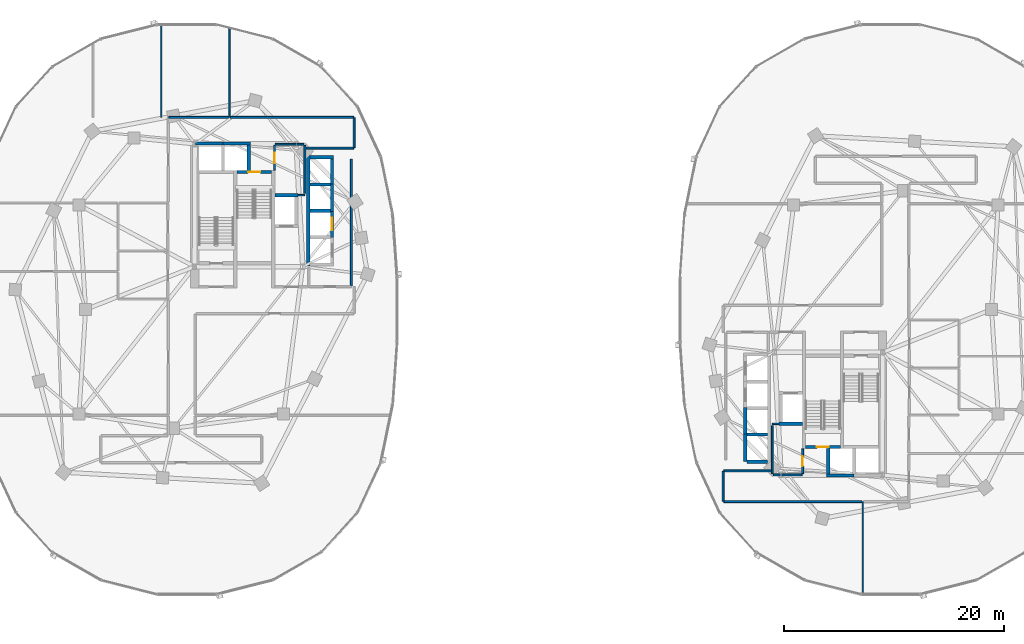
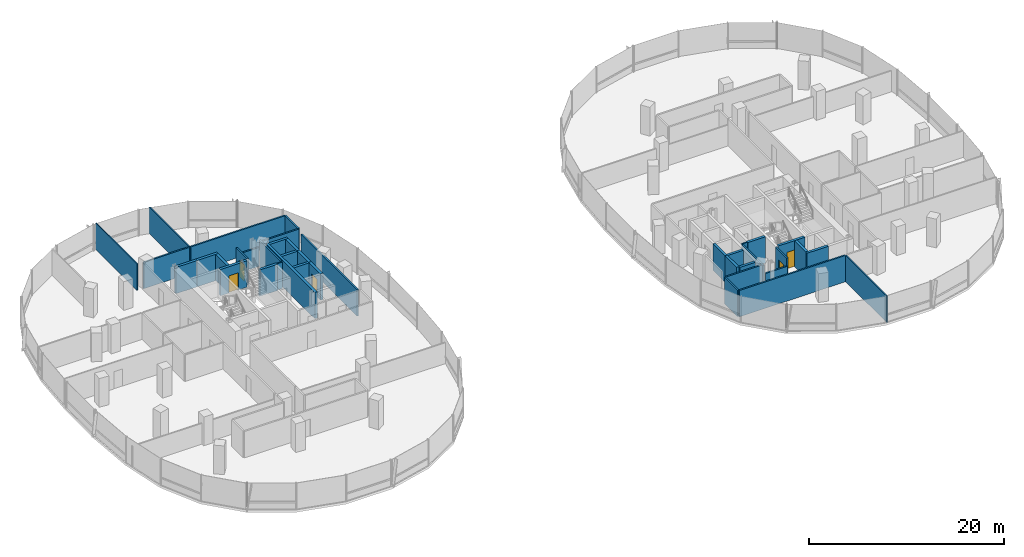
# One storey, part 12 of 21: 39 walls, 5 doors, 5 openings.
"""IFC4 building model written with IfcOpenShell, lengths in metres."""

from ifc_helpers import new_model, si_unit, direction, frame, frame_2d, origin, place, context, subcontext, project, spatial, rectangle, extrude, material, layer, layer_set, type_object, element, fill, save


model = new_model("IFC4")

# Units and contexts
model_context = context("Model", 3, precision=1e-05, world=origin(), true_north=direction((0.0, 1.0)))
body_context = subcontext(model_context, "Body", "Model", "MODEL_VIEW")
ifc_project = project(units=[si_unit("LENGTHUNIT", "METRE"), si_unit("AREAUNIT", "SQUARE_METRE"), si_unit("VOLUMEUNIT", "CUBIC_METRE"), si_unit("PLANEANGLEUNIT", "RADIAN"), si_unit("MASSUNIT", "GRAM", prefix="KILO"), si_unit("THERMODYNAMICTEMPERATUREUNIT", "KELVIN"), si_unit("POWERUNIT", "WATT")], contexts=[model_context])

# Site, building, storey
site_placement = place(None, origin())
site = spatial("IfcSite", under=ifc_project, at=site_placement, CompositionType="ELEMENT")
building_placement = place(site_placement, origin())
building = spatial("IfcBuilding", under=site, at=building_placement, Name="Cundina Bronze Exchange", CompositionType="ELEMENT")
storey_placement = place(building_placement, frame((0.0, 0.0, 99.800048828125)))
storey = spatial("IfcBuildingStorey", under=building, at=storey_placement, Name="L25", CompositionType="ELEMENT", Elevation=99.800048828125)

# Walls
ifc_material_1 = material(Name="Gypsum Fireboard Partition EI120")
ifc_layer_1 = layer(ifc_material_1, 0.179931640625, Name="Gypsum Fireboard Partition EI120")
ifc_layer_set_1 = layer_set([ifc_layer_1], Name="Gypsum Fireboard Partition EI120")
wall_type_1 = type_object("IfcWallType", Name="WL-COR-180", PredefinedType="PARTITIONING", material=ifc_layer_set_1)
wall_1_placement = place(storey_placement, frame((-17.02001953125, 2.169921875, 0.0), z_axis=(0.0, 0.0, 1.0), x_axis=(0.0, 1.0, 0.0)))
element("IfcWall", 1, at=wall_1_placement, inside=storey, type_object=wall_type_1, Name="L25 Interior Partition 001", PredefinedType="PARTITIONING", context=body_context, shape_type="SweptSolid", body=[
    extrude(rectangle(XDim=11.510009765625, YDim=0.179931640625, at=frame_2d((5.7548828125, 0.0))), origin(), (0.0, 0.0, 1.0), 3.300048828125),
])
wall_2_placement = place(storey_placement, frame((-21.25, 10.570068359375, 0.0), z_axis=(0.0, 0.0, 1.0), x_axis=(0.0, 1.0, 0.0)))
element("IfcWall", 2, at=wall_2_placement, inside=storey, type_object=wall_type_1, Name="L25 Interior Partition 004", PredefinedType="PARTITIONING", context=body_context, shape_type="SweptSolid", body=[
    extrude(rectangle(XDim=4.35986328125, YDim=0.179931640625, at=frame_2d((2.179931640625, 0.0))), origin(), (0.0, 0.0, 1.0), 3.300048828125),
])
wall_3_placement = place(storey_placement, frame((-23.9599609375, 15.030029296875, 0.0), z_axis=(0.0, 0.0, 1.0), x_axis=(1.0, 0.0, 0.0)))
element("IfcWall", 3, at=wall_3_placement, inside=storey, type_object=wall_type_1, Name="L25 Interior Partition 005", PredefinedType="PARTITIONING", context=body_context, shape_type="SweptSolid", body=[
    extrude(rectangle(XDim=2.60986328125, YDim=0.179931640625, at=frame_2d((1.304931640625, 0.0))), origin(), (0.0, 0.0, 1.0), 2.373046875),
])

# Wall, opening, door
wall_4_placement = place(storey_placement, frame((-24.02001953125, 12.669921875, 0.0), z_axis=(0.0, 0.0, 1.0), x_axis=(0.0, 1.0, 0.0)))
wall_4 = element("IfcWall", 4, at=wall_4_placement, inside=storey, type_object=wall_type_1, Name="L25 Interior Partition 006", PredefinedType="PARTITIONING", context=body_context, shape_type="SweptSolid", body=[
    extrude(rectangle(XDim=2.260009765625, YDim=0.179931640625, at=frame_2d((1.1298828125, 0.0))), origin(), (0.0, 0.0, 1.0), 3.300048828125),
])
opening_1_placement = place(wall_4_placement, frame((0.655029296875, 0.0, 0.0)))
opening_1 = element("IfcOpeningElement", 5, at=opening_1_placement, cuts=wall_4, Name="Opening DW-01", PredefinedType="OPENING", context=body_context, shape_type="SweptSolid", body=[
    extrude(rectangle(XDim=0.949951171875, YDim=2.10009765625, at=frame_2d((0.47509765625, 1.050048828125))), frame((0.0, 0.099853515625, 0.0), z_axis=(0.0, -1.0, 0.0), x_axis=(1.0, 0.0, 0.0)), (0.0, 0.0, 1.0), 0.199951171875),
])
ifc_material_2 = material(Name="Solid Andean Oak Timber Grade A", Category="wood")
door_type_1 = type_object("IfcDoorType", Name="DR-WC-950", OperationType="NOTDEFINED", PredefinedType="DOOR", material=ifc_material_2)
door_1_placement = place(opening_1_placement, origin())
door_1 = element("IfcDoor", 6, at=door_1_placement, inside=storey, type_object=door_type_1, Name="L25 Interior Door 006", OperationType="SINGLE_SWING_LEFT", OverallHeight=2.10009765625, OverallWidth=0.949951171875, PredefinedType="DOOR", context=body_context, shape_type="SweptSolid", body=[
    extrude(rectangle(XDim=0.949951171875, YDim=2.10009765625, at=frame_2d((0.47509765625, 1.050048828125))), frame((0.0, 0.02490234375, 0.0), z_axis=(0.0, -1.0, 0.0), x_axis=(1.0, 0.0, 0.0)), (0.0, 0.0, 1.0), 0.050048828125),
])
fill(opening_1, door_1)

# Walls
wall_5_placement = place(storey_placement, frame((-16.821533203125, 17.469970703125, 0.0), z_axis=(0.0, 0.0, 1.0), x_axis=(-1.0, 0.0, 0.0)))
element("IfcWall", 7, at=wall_5_placement, inside=storey, type_object=wall_type_1, Name="L25 Interior Partition 030", PredefinedType="PARTITIONING", context=body_context, shape_type="SweptSolid", body=[
    extrude(rectangle(XDim=11.20849609375, YDim=0.179931640625, at=frame_2d((5.604248046875, 0.0))), origin(), (0.0, 0.0, 1.0), 3.300048828125),
])
wall_6_placement = place(storey_placement, frame((-21.178466796875, 14.679931640625, 0.0), z_axis=(0.0, 0.0, 1.0), x_axis=(1.0, 0.0, 0.0)))
element("IfcWall", 8, at=wall_6_placement, inside=storey, type_object=wall_type_1, Name="L25 Interior Partition 032", PredefinedType="PARTITIONING", context=body_context, shape_type="SweptSolid", body=[
    extrude(rectangle(XDim=4.35693359375, YDim=0.179931640625, at=frame_2d((2.178466796875, 0.0))), origin(), (0.0, 0.0, 1.0), 3.300048828125),
])
wall_7_placement = place(storey_placement, frame((-16.780029296875, 14.721435546875, 0.0), z_axis=(0.0, 0.0, 1.0), x_axis=(0.0, 1.0, 0.0)))
element("IfcWall", 9, at=wall_7_placement, inside=storey, type_object=wall_type_1, Name="L25 Interior Partition 033", PredefinedType="PARTITIONING", context=body_context, shape_type="SweptSolid", body=[
    extrude(rectangle(XDim=2.70703125, YDim=0.179931640625, at=frame_2d((1.353515625, 0.0))), origin(), (0.0, 0.0, 1.0), 3.300048828125),
])
wall_8_placement = place(storey_placement, frame((-28.2099609375, 17.469970703125, 0.0), z_axis=(0.0, 0.0, 1.0), x_axis=(-1.0, 0.0, 0.0)))
element("IfcWall", 10, at=wall_8_placement, inside=storey, type_object=wall_type_1, Name="L25 Interior Partition 036", PredefinedType="PARTITIONING", context=body_context, shape_type="SweptSolid", body=[
    extrude(rectangle(XDim=5.41845703125, YDim=0.179931640625, at=frame_2d((2.709228515625, 0.0))), origin(), (0.0, 0.0, 1.0), 3.300048828125),
])
wall_9_placement = place(storey_placement, frame((21.25, -14.929931640625, 0.0), z_axis=(0.0, 0.0, 1.0), x_axis=(0.0, 1.0, 0.0)))
element("IfcWall", 11, at=wall_9_placement, inside=storey, type_object=wall_type_1, Name="L25 Interior Partition 041", PredefinedType="PARTITIONING", context=body_context, shape_type="SweptSolid", body=[
    extrude(rectangle(XDim=4.35986328125, YDim=0.179931640625, at=frame_2d((2.179931640625, 0.0))), origin(), (0.0, 0.0, 1.0), 3.300048828125),
])
wall_10_placement = place(storey_placement, frame((21.35009765625, -15.030029296875, 0.0), z_axis=(0.0, 0.0, 1.0), x_axis=(1.0, 0.0, 0.0)))
element("IfcWall", 12, at=wall_10_placement, inside=storey, type_object=wall_type_1, Name="L25 Interior Partition 042", PredefinedType="PARTITIONING", context=body_context, shape_type="SweptSolid", body=[
    extrude(rectangle(XDim=2.60986328125, YDim=0.179931640625, at=frame_2d((1.304931640625, 0.0))), origin(), (0.0, 0.0, 1.0), 2.373046875),
])

# Wall, opening, door
wall_11_placement = place(storey_placement, frame((24.02001953125, -14.929931640625, 0.0), z_axis=(0.0, 0.0, 1.0), x_axis=(0.0, 1.0, 0.0)))
wall_11 = element("IfcWall", 13, at=wall_11_placement, inside=storey, type_object=wall_type_1, Name="L25 Interior Partition 043", PredefinedType="PARTITIONING", context=body_context, shape_type="SweptSolid", body=[
    extrude(rectangle(XDim=2.260009765625, YDim=0.179931640625, at=frame_2d((1.1298828125, 0.0))), origin(), (0.0, 0.0, 1.0), 3.300048828125),
])
opening_2_placement = place(wall_11_placement, frame((0.655029296875, 0.0, 0.0)))
opening_2 = element("IfcOpeningElement", 14, at=opening_2_placement, cuts=wall_11, Name="Opening DW-01", PredefinedType="OPENING", context=body_context, shape_type="SweptSolid", body=[
    extrude(rectangle(XDim=0.949951171875, YDim=2.10009765625, at=frame_2d((0.47509765625, 1.050048828125))), frame((0.0, 0.099853515625, 0.0), z_axis=(0.0, -1.0, 0.0), x_axis=(1.0, 0.0, 0.0)), (0.0, 0.0, 1.0), 0.199951171875),
])
door_2_placement = place(opening_2_placement, origin())
door_2 = element("IfcDoor", 15, at=door_2_placement, inside=storey, type_object=door_type_1, Name="L25 Interior Door 043", OperationType="SINGLE_SWING_RIGHT", OverallHeight=2.10009765625, OverallWidth=0.949951171875, PredefinedType="DOOR", context=body_context, shape_type="SweptSolid", body=[
    extrude(rectangle(XDim=0.949951171875, YDim=2.10009765625, at=frame_2d((0.47509765625, 1.050048828125))), frame((0.0, 0.02490234375, 0.0), z_axis=(0.0, -1.0, 0.0), x_axis=(1.0, 0.0, 0.0)), (0.0, 0.0, 1.0), 0.050048828125),
])
fill(opening_2, door_2)

# Walls
wall_12_placement = place(storey_placement, frame((16.821533203125, -17.469970703125, 0.0), z_axis=(0.0, 0.0, 1.0), x_axis=(1.0, 0.0, 0.0)))
element("IfcWall", 16, at=wall_12_placement, inside=storey, type_object=wall_type_1, Name="L25 Interior Partition 061", PredefinedType="PARTITIONING", context=body_context, shape_type="SweptSolid", body=[
    extrude(rectangle(XDim=12.568359375, YDim=0.179931640625, at=frame_2d((6.2841796875, 0.0))), origin(), (0.0, 0.0, 1.0), 3.300048828125),
])
wall_13_placement = place(storey_placement, frame((21.178466796875, -14.679931640625, 0.0), z_axis=(0.0, 0.0, 1.0), x_axis=(-1.0, 0.0, 0.0)))
element("IfcWall", 17, at=wall_13_placement, inside=storey, type_object=wall_type_1, Name="L25 Interior Partition 063", PredefinedType="PARTITIONING", context=body_context, shape_type="SweptSolid", body=[
    extrude(rectangle(XDim=4.35693359375, YDim=0.179931640625, at=frame_2d((2.178466796875, 0.0))), origin(), (0.0, 0.0, 1.0), 3.300048828125),
])
wall_14_placement = place(storey_placement, frame((16.780029296875, -14.721435546875, 0.0), z_axis=(0.0, 0.0, 1.0), x_axis=(0.0, -1.0, 0.0)))
element("IfcWall", 18, at=wall_14_placement, inside=storey, type_object=wall_type_1, Name="L25 Interior Partition 064", PredefinedType="PARTITIONING", context=body_context, shape_type="SweptSolid", body=[
    extrude(rectangle(XDim=2.70703125, YDim=0.179931640625, at=frame_2d((1.353515625, 0.0))), origin(), (0.0, 0.0, 1.0), 3.300048828125),
])
ifc_material_3 = material(Name="Gypsum Acoustic Partition EI60")
ifc_layer_2 = layer(ifc_material_3, 0.125, Name="Gypsum Acoustic Partition EI60")
ifc_layer_set_2 = layer_set([ifc_layer_2], Name="Gypsum Acoustic Partition EI60")
wall_type_2 = type_object("IfcWallType", Name="WL-OFF-125", PredefinedType="PARTITIONING", material=ifc_layer_set_2)
wall_15_placement = place(storey_placement, frame((-34.320068359375, 17.469970703125, 0.0), z_axis=(0.0, 0.0, 1.0), x_axis=(0.0, 1.0, 0.0)))
element("IfcWall", 19, at=wall_15_placement, inside=storey, type_object=wall_type_2, Name="L25 Interior Partition 019", PredefinedType="PARTITIONING", context=body_context, shape_type="SweptSolid", body=[
    extrude(rectangle(XDim=8.51513671875, YDim=0.125, at=frame_2d((4.257568359375, 0.0))), origin(), (0.0, 0.0, 1.0), 3.300048828125),
])
wall_16_placement = place(storey_placement, frame((-28.1201171875, 17.5, 0.0), z_axis=(0.0, 0.0, 1.0), x_axis=(0.0, 1.0, 0.0)))
element("IfcWall", 20, at=wall_16_placement, inside=storey, type_object=wall_type_2, Name="L25 Interior Partition 020", PredefinedType="PARTITIONING", context=body_context, shape_type="SweptSolid", body=[
    extrude(rectangle(XDim=8.1875, YDim=0.125, at=frame_2d((4.09375, 0.0))), origin(), (0.0, 0.0, 1.0), 3.300048828125),
])
wall_17_placement = place(storey_placement, frame((29.47998046875, -25.985107421875, 0.0), z_axis=(0.0, 0.0, 1.0), x_axis=(0.0, 1.0, 0.0)))
element("IfcWall", 21, at=wall_17_placement, inside=storey, type_object=wall_type_2, Name="L25 Interior Partition 056", PredefinedType="PARTITIONING", context=body_context, shape_type="SweptSolid", body=[
    extrude(rectangle(XDim=8.485107421875, YDim=0.125, at=frame_2d((4.24267578125, 0.0))), origin(), (0.0, 0.0, 1.0), 3.300048828125),
])

# Wall, opening, door
ifc_material_4 = material(Name="Concrete C50/60", Category="concrete")
ifc_layer_3 = layer(ifc_material_4, 0.300048828125, Name="Concrete C50/60", Category="concrete")
ifc_layer_set_3 = layer_set([ifc_layer_3], Name="Concrete C50/60")
wall_type_3 = type_object("IfcWallType", Name="WL-SHFT-300", PredefinedType="SHEAR", material=ifc_layer_set_3)
wall_18_placement = place(storey_placement, frame((-27.43994140625, 12.5, 0.0), z_axis=(0.0, 0.0, 1.0), x_axis=(1.0, 0.0, 0.0)))
wall_18 = element("IfcWall", 22, at=wall_18_placement, inside=storey, type_object=wall_type_3, Name="L25 Stair W2 Landing Wall", PredefinedType="SHEAR", context=body_context, shape_type="SweptSolid", body=[
    extrude(rectangle(XDim=3.159912109375, YDim=0.300048828125, at=frame_2d((1.580078125, 0.0))), origin(), (0.0, 0.0, 1.0), 3.300048828125),
])
opening_3_placement = place(wall_18_placement, frame((1.030029296875, 0.0, 0.0)))
opening_3 = element("IfcOpeningElement", 23, at=opening_3_placement, cuts=wall_18, Name="Opening DS-01", PredefinedType="OPENING", context=body_context, shape_type="SweptSolid", body=[
    extrude(rectangle(XDim=1.10009765625, YDim=2.14990234375, at=frame_2d((0.550048828125, 1.074951171875))), frame((0.0, 0.159912109375, 0.0), z_axis=(0.0, -1.0, 0.0), x_axis=(1.0, 0.0, 0.0)), (0.0, 0.0, 1.0), 0.320068359375),
])
ifc_material_5 = material(Name="Steel ASTM A36 Painted", Category="steel")
door_type_2 = type_object("IfcDoorType", Name="DR-STR-1100", OperationType="NOTDEFINED", PredefinedType="DOOR", material=ifc_material_5)
door_3_placement = place(opening_3_placement, origin())
door_3 = element("IfcDoor", 24, at=door_3_placement, inside=storey, type_object=door_type_2, Name="L25 Smokeproof Stair W2 Door", OperationType="SINGLE_SWING_LEFT", OverallHeight=2.14990234375, OverallWidth=1.10009765625, PredefinedType="DOOR", context=body_context, shape_type="SweptSolid", body=[
    extrude(rectangle(XDim=1.10009765625, YDim=2.14990234375, at=frame_2d((0.550048828125, 1.074951171875))), frame((0.0, 0.02490234375, 0.0), z_axis=(0.0, -1.0, 0.0), x_axis=(1.0, 0.0, 0.0)), (0.0, 0.0, 1.0), 0.050048828125),
])
fill(opening_3, door_3)

# Walls
wall_19_placement = place(storey_placement, frame((-23.97998046875, 10.39990234375, 0.0), z_axis=(0.0, 0.0, 1.0), x_axis=(1.0, 0.0, 0.0)))
element("IfcWall", 25, at=wall_19_placement, inside=storey, type_object=wall_type_3, Name="L25 FFL-W Hoistway Back Wall", PredefinedType="SHEAR", context=body_context, shape_type="SweptSolid", body=[
    extrude(rectangle(XDim=2.10009765625, YDim=0.300048828125, at=frame_2d((1.050048828125, 0.0))), origin(), (0.0, 0.0, 1.0), 3.300048828125),
])
for number, where, z_axis, x_axis, name in (
    (26, (-31.199951171875, 15.10009765625, 0.0), (0.0, 0.0, 1.0), (1.0, 0.0, 0.0), "L25 PH-W1 Hoistway Front Wall"),
    (27, (-28.699951171875, 15.10009765625, 0.0), (0.0, 0.0, 1.0), (1.0, 0.0, 0.0), "L25 PH-W2 Hoistway Front Wall"),
):
    element("IfcWall", number, at=place(storey_placement, frame(where, z_axis=z_axis, x_axis=x_axis)), inside=storey, type_object=wall_type_3, Name=name, PredefinedType="SHEAR", context=body_context, shape_type="SweptSolid", body=[
        extrude(rectangle(XDim=2.5, YDim=0.300048828125, at=frame_2d((1.25, 0.0))), origin(), (0.0, 0.0, 1.0), 3.300048828125),
    ])
wall_20_placement = place(storey_placement, frame((-26.35009765625, 12.64990234375, 0.0), z_axis=(0.0, 0.0, 1.0), x_axis=(0.0, 1.0, 0.0)))
element("IfcWall", 28, at=wall_20_placement, inside=storey, type_object=wall_type_3, Name="L25 PH-W2 Hoistway Divider Wall", PredefinedType="SHEAR", context=body_context, shape_type="SweptSolid", body=[
    extrude(rectangle(XDim=2.300048828125, YDim=0.300048828125, at=frame_2d((1.14990234375, 0.0))), origin(), (0.0, 0.0, 1.0), 3.300048828125),
])
wall_21_placement = place(storey_placement, frame((-20.949951171875, 3.949951171875, 0.0), z_axis=(0.0, 0.0, 1.0), x_axis=(0.0, 1.0, 0.0)))
element("IfcWall", 29, at=wall_21_placement, inside=storey, type_object=wall_type_3, Name="L25 W Passenger Bank Hoistway Back Wall", PredefinedType="SHEAR", context=body_context, shape_type="SweptSolid", body=[
    extrude(rectangle(XDim=10.050048828125, YDim=0.300048828125, at=frame_2d((5.02490234375, 0.0))), origin(), (0.0, 0.0, 1.0), 3.300048828125),
])
wall_22_placement = place(storey_placement, frame((-20.800048828125, 13.85009765625, 0.0), z_axis=(0.0, 0.0, 1.0), x_axis=(1.0, 0.0, 0.0)))
element("IfcWall", 30, at=wall_22_placement, inside=storey, type_object=wall_type_3, Name="L25 W Passenger Bank North Cap Wall", PredefinedType="SHEAR", context=body_context, shape_type="SweptSolid", body=[
    extrude(rectangle(XDim=2.150146484375, YDim=0.300048828125, at=frame_2d((1.0751953125, 0.0))), origin(), (0.0, 0.0, 1.0), 3.300048828125),
])
for number, where, z_axis, x_axis, name in (
    (31, (-20.800048828125, 8.97509765625, 0.0), (0.0, 0.0, 1.0), (1.0, 0.0, 0.0), "L25 W Passenger Hoistway Divider 2"),
    (32, (-20.800048828125, 11.375, 0.0), (0.0, 0.0, 1.0), (1.0, 0.0, 0.0), "L25 W Passenger Hoistway Divider 3"),
):
    element("IfcWall", number, at=place(storey_placement, frame(where, z_axis=z_axis, x_axis=x_axis)), inside=storey, type_object=wall_type_3, Name=name, PredefinedType="SHEAR", context=body_context, shape_type="SweptSolid", body=[
        extrude(rectangle(XDim=1.85009765625, YDim=0.300048828125, at=frame_2d((0.925048828125, 0.0))), origin(), (0.0, 0.0, 1.0), 3.300048828125),
    ])

# Wall, opening, door
wall_23_placement = place(storey_placement, frame((-18.800048828125, 6.530029296875, 0.0), z_axis=(0.0, 0.0, 1.0), x_axis=(0.0, 1.0, 0.0)))
wall_23 = element("IfcWall", 33, at=wall_23_placement, inside=storey, type_object=wall_type_3, Name="L25 PL-W1 Hoistway Front Wall", PredefinedType="SHEAR", context=body_context, shape_type="SweptSolid", body=[
    extrude(rectangle(XDim=2.489990234375, YDim=0.300048828125, at=frame_2d((1.2451171875, 0.0))), origin(), (0.0, 0.0, 1.0), 3.300048828125),
])
opening_4_placement = place(wall_23_placement, frame((0.669921875, 0.0, 0.0)))
opening_4 = element("IfcOpeningElement", 34, at=opening_4_placement, cuts=wall_23, Name="Opening LD-01", PredefinedType="OPENING", context=body_context, shape_type="SweptSolid", body=[
    extrude(rectangle(XDim=1.14990234375, YDim=2.199951171875, at=frame_2d((0.574951171875, 1.10009765625))), frame((0.0, 0.159912109375, 0.0), z_axis=(0.0, -1.0, 0.0), x_axis=(1.0, 0.0, 0.0)), (0.0, 0.0, 1.0), 0.320068359375),
])
door_type_3 = type_object("IfcDoorType", Name="DR-LND-1150", OperationType="NOTDEFINED", PredefinedType="TRAPDOOR", material=ifc_material_5)
door_4_placement = place(opening_4_placement, origin())
door_4 = element("IfcDoor", 35, at=door_4_placement, inside=storey, type_object=door_type_3, Name="L25 PL-W1 Sliding Landing Door", OperationType="SLIDING_TO_LEFT", OverallHeight=2.199951171875, OverallWidth=1.14990234375, PredefinedType="TRAPDOOR", context=body_context, shape_type="SweptSolid", body=[
    extrude(rectangle(XDim=1.14990234375, YDim=2.199951171875, at=frame_2d((0.574951171875, 1.10009765625))), frame((0.0, 0.02490234375, 0.0), z_axis=(0.0, -1.0, 0.0), x_axis=(1.0, 0.0, 0.0)), (0.0, 0.0, 1.0), 0.050048828125),
])
fill(opening_4, door_4)

# Walls
for number, where, z_axis, x_axis, name in (
    (36, (-18.800048828125, 8.929931640625, 0.0), (0.0, 0.0, 1.0), (0.0, 1.0, 0.0), "L25 PM-W2 Hoistway Front Wall"),
    (37, (-18.800048828125, 11.330078125, 0.0), (0.0, 0.0, 1.0), (0.0, 1.0, 0.0), "L25 PM-W1 Hoistway Front Wall"),
):
    element("IfcWall", number, at=place(storey_placement, frame(where, z_axis=z_axis, x_axis=x_axis)), inside=storey, type_object=wall_type_3, Name=name, PredefinedType="SHEAR", context=body_context, shape_type="SweptSolid", body=[
        extrude(rectangle(XDim=2.489990234375, YDim=0.300048828125, at=frame_2d((1.2451171875, 0.0))), origin(), (0.0, 0.0, 1.0), 3.300048828125),
    ])

# Wall, opening, door
wall_24_placement = place(storey_placement, frame((24.280029296875, -12.5, 0.0), z_axis=(0.0, 0.0, 1.0), x_axis=(1.0, 0.0, 0.0)))
wall_24 = element("IfcWall", 38, at=wall_24_placement, inside=storey, type_object=wall_type_3, Name="L25 Stair E2 Landing Wall", PredefinedType="SHEAR", context=body_context, shape_type="SweptSolid", body=[
    extrude(rectangle(XDim=3.159912109375, YDim=0.300048828125, at=frame_2d((1.580078125, 0.0))), origin(), (0.0, 0.0, 1.0), 3.300048828125),
])
opening_5_placement = place(wall_24_placement, frame((1.030029296875, 0.0, 0.0)))
opening_5 = element("IfcOpeningElement", 39, at=opening_5_placement, cuts=wall_24, Name="Opening DS-01", PredefinedType="OPENING", context=body_context, shape_type="SweptSolid", body=[
    extrude(rectangle(XDim=1.10009765625, YDim=2.14990234375, at=frame_2d((0.550048828125, 1.074951171875))), frame((0.0, 0.159912109375, 0.0), z_axis=(0.0, -1.0, 0.0), x_axis=(1.0, 0.0, 0.0)), (0.0, 0.0, 1.0), 0.320068359375),
])
door_5_placement = place(opening_5_placement, origin())
door_5 = element("IfcDoor", 40, at=door_5_placement, inside=storey, type_object=door_type_2, Name="L25 Smokeproof Stair E2 Door", OperationType="SINGLE_SWING_RIGHT", OverallHeight=2.14990234375, OverallWidth=1.10009765625, PredefinedType="DOOR", context=body_context, shape_type="SweptSolid", body=[
    extrude(rectangle(XDim=1.10009765625, YDim=2.14990234375, at=frame_2d((0.550048828125, 1.074951171875))), frame((0.0, 0.02490234375, 0.0), z_axis=(0.0, -1.0, 0.0), x_axis=(1.0, 0.0, 0.0)), (0.0, 0.0, 1.0), 0.050048828125),
])
fill(opening_5, door_5)

# Walls
wall_25_placement = place(storey_placement, frame((21.8798828125, -10.39990234375, 0.0), z_axis=(0.0, 0.0, 1.0), x_axis=(1.0, 0.0, 0.0)))
element("IfcWall", 41, at=wall_25_placement, inside=storey, type_object=wall_type_3, Name="L25 FFL-E Hoistway Back Wall", PredefinedType="SHEAR", context=body_context, shape_type="SweptSolid", body=[
    extrude(rectangle(XDim=2.10009765625, YDim=0.300048828125, at=frame_2d((1.050048828125, 0.0))), origin(), (0.0, 0.0, 1.0), 3.300048828125),
])
wall_26_placement = place(storey_placement, frame((26.199951171875, -15.10009765625, 0.0), z_axis=(0.0, 0.0, 1.0), x_axis=(1.0, 0.0, 0.0)))
element("IfcWall", 42, at=wall_26_placement, inside=storey, type_object=wall_type_3, Name="L25 PH-E2 Hoistway Front Wall", PredefinedType="SHEAR", context=body_context, shape_type="SweptSolid", body=[
    extrude(rectangle(XDim=2.5, YDim=0.300048828125, at=frame_2d((1.25, 0.0))), origin(), (0.0, 0.0, 1.0), 3.300048828125),
])
wall_27_placement = place(storey_placement, frame((26.35009765625, -14.949951171875, 0.0), z_axis=(0.0, 0.0, 1.0), x_axis=(0.0, 1.0, 0.0)))
element("IfcWall", 43, at=wall_27_placement, inside=storey, type_object=wall_type_3, Name="L25 PH-E2 Hoistway Divider Wall", PredefinedType="SHEAR", context=body_context, shape_type="SweptSolid", body=[
    extrude(rectangle(XDim=2.300048828125, YDim=0.300048828125, at=frame_2d((1.14990234375, 0.0))), origin(), (0.0, 0.0, 1.0), 3.300048828125),
])
for number, where, z_axis, x_axis, name in (
    (44, (18.949951171875, -13.85009765625, 0.0), (0.0, 0.0, 1.0), (1.0, 0.0, 0.0), "L25 E Passenger Bank South Cap Wall"),
    (45, (18.949951171875, -11.375, 0.0), (0.0, 0.0, 1.0), (1.0, 0.0, 0.0), "L25 E Passenger Hoistway Divider 1"),
):
    element("IfcWall", number, at=place(storey_placement, frame(where, z_axis=z_axis, x_axis=x_axis)), inside=storey, type_object=wall_type_3, Name=name, PredefinedType="SHEAR", context=body_context, shape_type="SweptSolid", body=[
        extrude(rectangle(XDim=1.85009765625, YDim=0.300048828125, at=frame_2d((0.925048828125, 0.0))), origin(), (0.0, 0.0, 1.0), 3.300048828125),
    ])
for number, where, z_axis, x_axis, name in (
    (46, (18.800048828125, -13.820068359375, 0.0), (0.0, 0.0, 1.0), (0.0, 1.0, 0.0), "L25 PM-E1 Hoistway Front Wall"),
    (47, (18.800048828125, -11.419921875, 0.0), (0.0, 0.0, 1.0), (0.0, 1.0, 0.0), "L25 PM-E2 Hoistway Front Wall"),
):
    element("IfcWall", number, at=place(storey_placement, frame(where, z_axis=z_axis, x_axis=x_axis)), inside=storey, type_object=wall_type_3, Name=name, PredefinedType="SHEAR", context=body_context, shape_type="SweptSolid", body=[
        extrude(rectangle(XDim=2.489990234375, YDim=0.300048828125, at=frame_2d((1.2451171875, 0.0))), origin(), (0.0, 0.0, 1.0), 3.300048828125),
    ])
ifc_material_6 = material(Name="Moisture-Resistant Masonry Block Grade M15", Category="masonry")
ifc_layer_4 = layer(ifc_material_6, 0.139892578125, Name="Moisture-Resistant Masonry Block Grade M15", Category="masonry")
ifc_layer_set_4 = layer_set([ifc_layer_4], Name="Moisture-Resistant Masonry Block Grade M15")
wall_type_4 = type_object("IfcWallType", Name="WL-WET-140", PredefinedType="PARTITIONING", material=ifc_layer_set_4)
for number, where, z_axis, x_axis, name in (
    (48, (-21.860107421875, 10.39990234375, 0.0), (0.0, 0.0, 1.0), (1.0, 0.0, 0.0), "L25 Interior Partition 003"),
    (49, (21.27001953125, -10.39990234375, 0.0), (0.0, 0.0, 1.0), (1.0, 0.0, 0.0), "L25 Interior Partition 040"),
):
    element("IfcWall", number, at=place(storey_placement, frame(where, z_axis=z_axis, x_axis=x_axis)), inside=storey, type_object=wall_type_4, Name=name, PredefinedType="PARTITIONING", context=body_context, shape_type="SweptSolid", body=[
        extrude(rectangle(XDim=0.590087890625, YDim=0.139892578125, at=frame_2d((0.294921875, 0.0))), origin(), (0.0, 0.0, 1.0), 3.300048828125),
    ])

save(model, "model.ifc")
